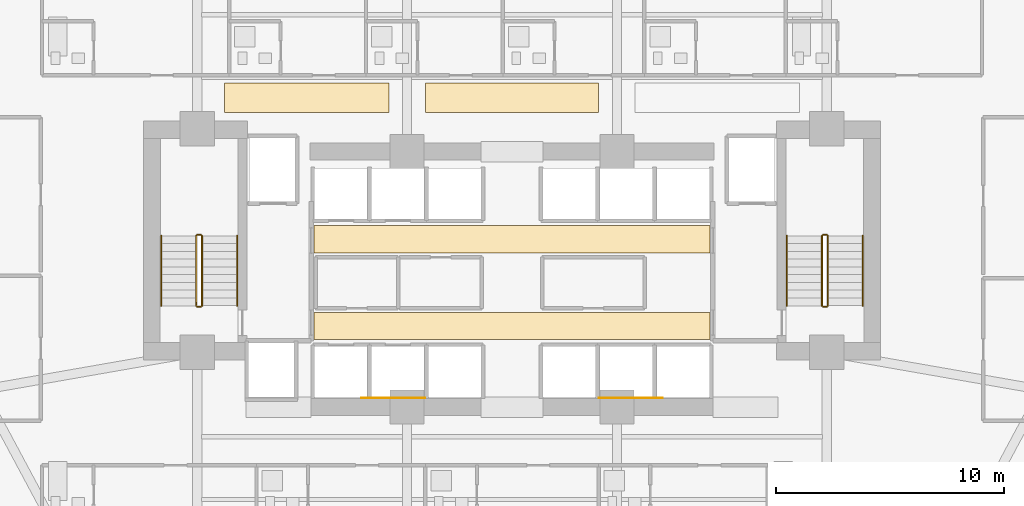
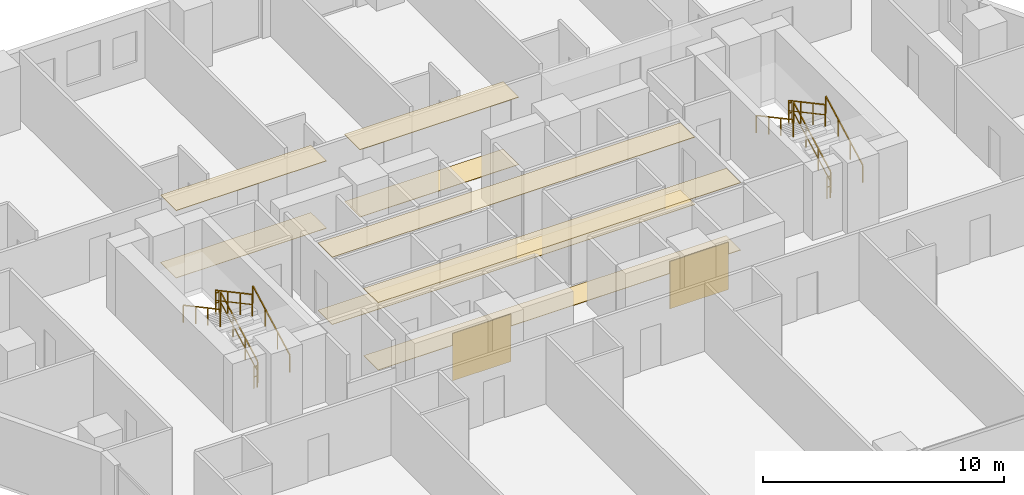
# One storey, part 27 of 29: 12 railings, 10 coverings.
"""IFC4 building model written with IfcOpenShell, lengths in metres."""

import ifcopenshell
import ifcopenshell.guid

model = None  # the IFC model being written
_history = None  # IfcOwnerHistory: only IFC2X3 demands one
_inside = {}  # id of a spatial element -> (the spatial element, [elements in it])
_under = {}  # id of a project, library or spatial element -> (it, [spatial elements below it])
_declared = {}  # id of a project -> (the project, [libraries it declares])
_typed = {}  # id of a type object -> (the type object, [elements of that type])
_made_of = {}  # id of a material, layer set ... -> (it, [elements and type objects made of it])


def new_model(schema):
    """Start an empty IFC model of exactly this schema.

    Asked for "IFC4X3", IfcOpenShell would pick the latest addendum, in which some entities
    have other attributes; the version numbers below select the first issue.
    IFC2X3 requires an IfcOwnerHistory on every rooted entity: one is made here for all.
    """
    global model, _history
    if schema == "IFC4X3":
        model = ifcopenshell.file(schema_version=(4, 3, 0, 0))
    else:
        model = ifcopenshell.file(schema=schema)
    _inside.clear()
    _under.clear()
    _declared.clear()
    _typed.clear()
    _made_of.clear()
    _history = None
    if model.schema == "IFC2X3":
        org = make("IfcOrganization", Name="unknown")
        user = make(
            "IfcPersonAndOrganization",
            ThePerson=make("IfcPerson", FamilyName="unknown"),
            TheOrganization=org,
        )
        app = make(
            "IfcApplication",
            ApplicationDeveloper=org,
            Version="unknown",
            ApplicationFullName="unknown",
            ApplicationIdentifier="unknown",
        )
        _history = make(
            "IfcOwnerHistory",
            OwningUser=user,
            OwningApplication=app,
            ChangeAction="ADDED",
            CreationDate=0,
        )
    return model


def make(cls, **values):
    """One entity of the class cls with the attributes given. An attribute that is None is left unset."""
    return model.create_entity(
        cls, **{name: value for name, value in values.items() if value is not None}
    )


def rooted(cls, **values):
    """An entity with a GlobalId (a new one), such as an element, a storey or a relation."""
    return make(cls, GlobalId=ifcopenshell.guid.new(), OwnerHistory=_history, **values)


def si_unit(unit_type, name, prefix=None):
    """IfcSIUnit, for example si_unit("LENGTHUNIT", "METRE", prefix="MILLI")."""
    return make("IfcSIUnit", UnitType=unit_type, Prefix=prefix, Name=name)


def assignment(units):
    """IfcUnitAssignment: the units of a project."""
    return None if units is None else make("IfcUnitAssignment", Units=units)


def point(xyz):
    """IfcCartesianPoint."""
    return None if xyz is None else make("IfcCartesianPoint", Coordinates=xyz)


def direction(xyz):
    """IfcDirection."""
    return None if xyz is None else make("IfcDirection", DirectionRatios=xyz)


def frame(location, z_axis=None, x_axis=None):
    """IfcAxis2Placement3D, a coordinate frame: its origin and axes. An axis left out is left unset."""
    return make(
        "IfcAxis2Placement3D",
        Location=point(location),
        Axis=direction(z_axis),
        RefDirection=direction(x_axis),
    )


def frame_2d(location, x_axis=None):
    """IfcAxis2Placement2D, a coordinate frame in the plane: its origin and x axis."""
    return make(
        "IfcAxis2Placement2D", Location=point(location), RefDirection=direction(x_axis)
    )


def origin():
    """The frame at (0, 0, 0) with its axes left unset."""
    return frame((0.0, 0.0, 0.0))


def origin_2d():
    """The frame at (0, 0) in the plane with its x axis left unset."""
    return frame_2d((0.0, 0.0))


def place(relative_to, where):
    """IfcLocalPlacement: puts the frame where relative to a parent placement (None: the world)."""
    return make(
        "IfcLocalPlacement", PlacementRelTo=relative_to, RelativePlacement=where
    )


def context(
    kind, dimensions, precision=None, world=None, true_north=None, identifier=None
):
    """IfcGeometricRepresentationContext, for example the 3D "Model" context."""
    return make(
        "IfcGeometricRepresentationContext",
        ContextIdentifier=identifier,
        ContextType=kind,
        CoordinateSpaceDimension=dimensions,
        Precision=precision,
        WorldCoordinateSystem=world,
        TrueNorth=true_north,
    )


def subcontext(parent, identifier, kind, view, scale=None):
    """IfcGeometricRepresentationSubContext, for example "Body" below "Model"."""
    return make(
        "IfcGeometricRepresentationSubContext",
        ContextIdentifier=identifier,
        ContextType=kind,
        ParentContext=parent,
        TargetScale=scale,
        TargetView=view,
    )


def project(units=None, contexts=None):
    """IfcProject with its units and contexts."""
    return rooted(
        "IfcProject",
        Name="project",
        RepresentationContexts=contexts,
        UnitsInContext=assignment(units),
    )


def spatial(cls, under=None, at=None, **own):
    """A site, building, storey or space (cls), placed at a placement, below another one or the project."""
    s = rooted(cls, ObjectPlacement=at, **own)
    if under is not None:
        _under.setdefault(under.id(), (under, []))[1].append(s)
    return s


def polyline(points):
    """IfcPolyline through the points."""
    return make("IfcPolyline", Points=[point(p) for p in points])


def profile(cls, at=None, kind="AREA", **sizes):
    """A parametric profile (cls). Its sizes go by their IFC names, for example OverallWidth=200.0."""
    return make(cls, ProfileType=kind, Position=at, **sizes)


def rectangle(**sizes):
    """IfcRectangleProfileDef."""
    return profile("IfcRectangleProfileDef", **sizes)


def outline(outer, holes=None, kind="AREA"):
    """IfcArbitraryClosedProfileDef: a profile drawn as a closed curve; with holes, ...WithVoids."""
    if holes is None:
        return make("IfcArbitraryClosedProfileDef", ProfileType=kind, OuterCurve=outer)
    return make(
        "IfcArbitraryProfileDefWithVoids",
        ProfileType=kind,
        OuterCurve=outer,
        InnerCurves=holes,
    )


def extrude(swept, where, along, depth):
    """IfcExtrudedAreaSolid: the profile swept, set in the frame where, extruded along a direction by depth."""
    return make(
        "IfcExtrudedAreaSolid",
        SweptArea=swept,
        Position=where,
        ExtrudedDirection=direction(along),
        Depth=depth,
    )


def shape(context_of_items, identifier, shape_type, items):
    """IfcShapeRepresentation: the items that make up one representation, for example the "Body"."""
    return make(
        "IfcShapeRepresentation",
        ContextOfItems=context_of_items,
        RepresentationIdentifier=identifier,
        RepresentationType=shape_type,
        Items=items,
    )


def material(Name=None, Category=None):
    """IfcMaterial."""
    return make("IfcMaterial", Name=Name, Category=Category)


def layer(
    of_material, thickness, ventilated=None, Name=None, Category=None, Priority=None
):
    """IfcMaterialLayer: one layer of a wall or slab, of a material (None: an air gap)."""
    return make(
        "IfcMaterialLayer",
        Material=of_material,
        LayerThickness=thickness,
        IsVentilated=ventilated,
        Name=Name,
        Category=Category,
        Priority=Priority,
    )


def layer_set(layers, Name=None):
    """IfcMaterialLayerSet."""
    return make("IfcMaterialLayerSet", MaterialLayers=layers, LayerSetName=Name)


def made_of(thing, what):
    """Note that an element or type object is made of a material, layer set ...; save() writes the relation."""
    if what is not None:
        _made_of.setdefault(what.id(), (what, []))[1].append(thing)
    return thing


def type_object(cls, material=None, **own):
    """A type object (cls), such as IfcWallType, which elements share."""
    return made_of(rooted(cls, **own), material)


def element(
    cls,
    number,
    at=None,
    inside=None,
    cuts=None,
    type_object=None,
    material=None,
    context=None,
    identifier="Body",
    shape_type=None,
    held_by="IfcProductDefinitionShape",
    body=None,
    shapes=None,
    **own,
):
    """One element of the class cls, such as IfcWall. Its Tag is "e" and its number.

    at: its placement. inside: the storey or other place that contains it. cuts: it is an
    opening in that element (IfcRelVoidsElement). A single representation is given by context,
    identifier, shape_type and body (its items); several are given by shapes. held_by: the class
    of the entity that holds the representations. save() writes the other relations.
    """
    e = rooted(cls, Tag="e%d" % number, ObjectPlacement=at, **own)
    if body is not None:
        shapes = [shape(context, identifier, shape_type, body)]
    if shapes is not None:
        e.Representation = make(held_by, Representations=shapes)
    if inside is not None:
        _inside.setdefault(inside.id(), (inside, []))[1].append(e)
    if cuts is not None:
        rooted(
            "IfcRelVoidsElement", RelatingBuildingElement=cuts, RelatedOpeningElement=e
        )
    if type_object is not None:
        _typed.setdefault(type_object.id(), (type_object, []))[1].append(e)
    return made_of(e, material)


def aggregate(whole, parts):
    """IfcRelAggregates: a whole, such as a stair, and the parts it consists of."""
    return rooted("IfcRelAggregates", RelatingObject=whole, RelatedObjects=parts)


def save(model, path):
    """Write the relations noted so far, then the file.

    IfcRelAggregates (storeys below a building ...), IfcRelContainedInSpatialStructure (elements
    in a storey), IfcRelDefinesByType, IfcRelAssociatesMaterial and IfcRelDeclares: one each for
    every whole, place, type object, material and project.
    """
    for whole, parts in _under.values():
        aggregate(whole, parts)
    for where, things in _inside.values():
        rooted(
            "IfcRelContainedInSpatialStructure",
            RelatedElements=things,
            RelatingStructure=where,
        )
    for kind, things in _typed.values():
        rooted("IfcRelDefinesByType", RelatedObjects=things, RelatingType=kind)
    for what, things in _made_of.values():
        rooted("IfcRelAssociatesMaterial", RelatedObjects=things, RelatingMaterial=what)
    for by, libraries in _declared.values():
        rooted("IfcRelDeclares", RelatingContext=by, RelatedDefinitions=libraries)
    model.write(path)


model = new_model("IFC4")

# Units and contexts
model_context = context("Model", 3, precision=1e-05, world=origin(), true_north=direction((0.0, 1.0)))
body_context = subcontext(model_context, "Body", "Model", "MODEL_VIEW")
ifc_project = project(units=[si_unit("LENGTHUNIT", "METRE"), si_unit("AREAUNIT", "SQUARE_METRE"), si_unit("VOLUMEUNIT", "CUBIC_METRE"), si_unit("PLANEANGLEUNIT", "RADIAN"), si_unit("MASSUNIT", "GRAM", prefix="KILO")], contexts=[model_context])

# Site, building, storey
site_placement = place(None, origin())
site = spatial("IfcSite", under=ifc_project, at=site_placement, CompositionType="ELEMENT")
building_placement = place(site_placement, origin())
building = spatial("IfcBuilding", under=site, at=building_placement, Name="Zuhayl Quay Hotel", CompositionType="ELEMENT")
storey_placement = place(building_placement, frame((0.0, 0.0, 95.64990234375)))
storey = spatial("IfcBuildingStorey", under=building, at=storey_placement, Name="L23", CompositionType="ELEMENT", Elevation=95.64990234375)

# Coverings
ifc_material_1 = material(Name="Acoustic Mineral-Fibre Gypsum Board")
ifc_layer_1 = layer(ifc_material_1, 0.02490234375, Name="Acoustic Mineral-Fibre Gypsum Board")
ifc_layer_set_1 = layer_set([ifc_layer_1], Name="Acoustic Mineral-Fibre Gypsum Board")
covering_type_1 = type_object("IfcCoveringType", Name="CV_CEIL_ACOUSTIC", PredefinedType="CEILING", material=ifc_layer_set_1)
covering_1_placement = place(storey_placement, frame((0.0, 0.0, 3.405029296875)))
element("IfcCovering", 1, at=covering_1_placement, inside=storey, type_object=covering_type_1, Name="L23 Suspended Acoustic Lobby Ceiling S", PredefinedType="CEILING", context=body_context, shape_type="SweptSolid", body=[
    extrude(outline(polyline([(-8.679931640625, 5.10009765625), (8.679931640625, 5.10009765625), (8.679931640625, 6.300048828125), (-8.679931640625, 6.300048828125), (-8.679931640625, 5.10009765625)])), origin(), (0.0, 0.0, 1.0), 0.025146484375),
])
covering_2_placement = place(storey_placement, frame((0.0, 0.0, 3.405029296875)))
element("IfcCovering", 2, at=covering_2_placement, inside=storey, type_object=covering_type_1, Name="L23 Suspended Acoustic Lobby Ceiling N", PredefinedType="CEILING", context=body_context, shape_type="SweptSolid", body=[
    extrude(outline(polyline([(-8.679931640625, 8.89990234375), (8.679931640625, 8.89990234375), (8.679931640625, 10.10009765625), (-8.679931640625, 10.10009765625), (-8.679931640625, 8.89990234375)])), origin(), (0.0, 0.0, 1.0), 0.025146484375),
])
covering_3_placement = place(storey_placement, frame((0.0, 0.0, 3.405029296875)))
element("IfcCovering", 3, at=covering_3_placement, inside=storey, type_object=covering_type_1, Name="L23 Guest Corridor Acoustic Ceiling CW", PredefinedType="CEILING", context=body_context, shape_type="SweptSolid", body=[
    extrude(outline(polyline([(-12.60009765625, 15.050048828125), (-5.39990234375, 15.050048828125), (-5.39990234375, 16.35009765625), (-12.60009765625, 16.35009765625), (-12.60009765625, 15.050048828125)])), origin(), (0.0, 0.0, 1.0), 0.025146484375),
])
covering_4_placement = place(storey_placement, frame((0.0, 0.0, 3.405029296875)))
element("IfcCovering", 4, at=covering_4_placement, inside=storey, type_object=covering_type_1, Name="L23 Guest Corridor Acoustic Ceiling CC", PredefinedType="CEILING", context=body_context, shape_type="SweptSolid", body=[
    extrude(outline(polyline([(-3.800048828125, 15.050048828125), (3.800048828125, 15.050048828125), (3.800048828125, 16.35009765625), (-3.800048828125, 16.35009765625), (-3.800048828125, 15.050048828125)])), origin(), (0.0, 0.0, 1.0), 0.025146484375),
])
ifc_material_2 = material(Name="Polished Limestone Terrazzo", Category="masonry")
ifc_layer_2 = layer(ifc_material_2, 0.02001953125, Name="Polished Limestone Terrazzo", Category="masonry")
ifc_layer_set_2 = layer_set([ifc_layer_2], Name="Polished Limestone Terrazzo")
covering_type_2 = type_object("IfcCoveringType", Name="CV_FLOOR_TERRAZZO", PredefinedType="FLOORING", material=ifc_layer_set_2)
covering_5_placement = place(storey_placement, origin())
element("IfcCovering", 5, at=covering_5_placement, inside=storey, type_object=covering_type_2, Name="L23 Honed Limestone Terrazzo Lobby Flooring S", PredefinedType="FLOORING", context=body_context, shape_type="SweptSolid", body=[
    extrude(outline(polyline([(-8.679931640625, 5.10009765625), (8.679931640625, 5.10009765625), (8.679931640625, 6.300048828125), (-8.679931640625, 6.300048828125), (-8.679931640625, 5.10009765625)])), origin(), (0.0, 0.0, 1.0), 0.02001953125),
])
covering_6_placement = place(storey_placement, origin())
element("IfcCovering", 6, at=covering_6_placement, inside=storey, type_object=covering_type_2, Name="L23 Honed Limestone Terrazzo Lobby Flooring N", PredefinedType="FLOORING", context=body_context, shape_type="SweptSolid", body=[
    extrude(outline(polyline([(-8.679931640625, 8.89990234375), (8.679931640625, 8.89990234375), (8.679931640625, 10.10009765625), (-8.679931640625, 10.10009765625), (-8.679931640625, 8.89990234375)])), origin(), (0.0, 0.0, 1.0), 0.02001953125),
])
covering_7_placement = place(storey_placement, origin())
element("IfcCovering", 7, at=covering_7_placement, inside=storey, type_object=covering_type_2, Name="L23 Guest Corridor Terrazzo Runner CW", PredefinedType="FLOORING", context=body_context, shape_type="SweptSolid", body=[
    extrude(outline(polyline([(-12.60009765625, 15.050048828125), (-5.39990234375, 15.050048828125), (-5.39990234375, 16.35009765625), (-12.60009765625, 16.35009765625), (-12.60009765625, 15.050048828125)])), origin(), (0.0, 0.0, 1.0), 0.02001953125),
])
covering_8_placement = place(storey_placement, origin())
element("IfcCovering", 8, at=covering_8_placement, inside=storey, type_object=covering_type_2, Name="L23 Guest Corridor Terrazzo Runner CC", PredefinedType="FLOORING", context=body_context, shape_type="SweptSolid", body=[
    extrude(outline(polyline([(-3.800048828125, 15.050048828125), (3.800048828125, 15.050048828125), (3.800048828125, 16.35009765625), (-3.800048828125, 16.35009765625), (-3.800048828125, 15.050048828125)])), origin(), (0.0, 0.0, 1.0), 0.02001953125),
])
ifc_material_3 = material(Name="Acoustic Walnut Feature Timber", Category="wood")
ifc_layer_3 = layer(ifc_material_3, 0.02197265625, Name="Acoustic Walnut Feature Timber", Category="wood")
ifc_layer_set_3 = layer_set([ifc_layer_3], Name="Acoustic Walnut Feature Timber")
covering_type_3 = type_object("IfcCoveringType", Name="CV_WALL_CLAD", PredefinedType="CLADDING", material=ifc_layer_set_3)
for number, where, z_axis, x_axis, name in (
    (9, (-5.199951171875, 2.535888671875, 0.300048828125), (0.0, 0.0, 1.0), (1.0, 0.0, 0.0), "L23 Feature Lobby Walnut Wall Cladding W"),
    (10, (5.199951171875, 2.535888671875, 0.300048828125), (0.0, 0.0, 1.0), (1.0, 0.0, 0.0), "L23 Feature Lobby Walnut Wall Cladding E"),
):
    element("IfcCovering", number, at=place(storey_placement, frame(where, z_axis=z_axis, x_axis=x_axis)), inside=storey, type_object=covering_type_3, Name=name, PredefinedType="CLADDING", context=body_context, shape_type="SweptSolid", body=[
        extrude(rectangle(XDim=2.800048828125, YDim=0.02197265625, at=origin_2d()), origin(), (0.0, 0.0, 1.0), 2.39990234375),
    ])

# Railings
ifc_material_4 = material(Name="Steel ASTM A992 Grade 50", Category="steel")
railing_type_1 = type_object("IfcRailingType", Name="RL_GUARD_1100", PredefinedType="GUARDRAIL", material=ifc_material_4)
railing_1_placement = place(storey_placement, frame((-13.590087890625, 6.590087890625, 0.1826171875)))
element("IfcRailing", 11, at=railing_1_placement, inside=storey, type_object=railing_type_1, Name="L23 ST1 stair guard 1", PredefinedType="GUARDRAIL", context=body_context, shape_type="SweptSolid", body=[
    extrude(rectangle(XDim=0.048095703125, YDim=0.048095703125, at=origin_2d()), frame((0.0, 0.0, 1.09619140625), z_axis=(0.0, 0.88107310026, 0.472980117973), x_axis=(-1.0, 0.0, 0.0)), (0.0, 0.0, 1.0), 3.472900390625),
    extrude(rectangle(XDim=0.0361328125, YDim=0.0361328125, at=origin_2d()), frame((0.0, 0.0, 0.58251953125), z_axis=(0.0, 0.88107310026, 0.472980117973), x_axis=(-1.0, 0.0, 0.0)), (0.0, 0.0, 1.0), 3.472900390625),
    extrude(rectangle(XDim=0.0419921875, YDim=0.0419921875, at=origin_2d()), origin(), (0.0, 0.0, 1.0), 1.072021484375),
    extrude(rectangle(XDim=0.0419921875, YDim=0.0419921875, at=origin_2d()), frame((0.0, 1.02001953125, 0.547607421875)), (0.0, 0.0, 1.0), 1.072021484375),
    extrude(rectangle(XDim=0.0419921875, YDim=0.0419921875, at=origin_2d()), frame((0.0, 2.039794921875, 1.094970703125)), (0.0, 0.0, 1.0), 1.072021484375),
    extrude(rectangle(XDim=0.0419921875, YDim=0.0419921875, at=origin_2d()), frame((0.0, 3.059814453125, 1.642578125)), (0.0, 0.0, 1.0), 1.072021484375),
])
railing_2_placement = place(storey_placement, frame((-13.639892578125, 9.699951171875, 1.8251953125)))
element("IfcRailing", 12, at=railing_2_placement, inside=storey, type_object=railing_type_1, Name="L23 ST1 stair guard 2", PredefinedType="GUARDRAIL", context=body_context, shape_type="SweptSolid", body=[
    extrude(rectangle(XDim=0.048095703125, YDim=0.048095703125, at=origin_2d()), frame((0.0, 0.0, 1.09619140625), z_axis=(-1.0, 0.0, 0.0), x_axis=(0.0, -1.0, 0.0)), (0.0, 0.0, 1.0), 0.150146484375),
    extrude(rectangle(XDim=0.0361328125, YDim=0.0361328125, at=origin_2d()), frame((0.0, 0.0, 0.58251953125), z_axis=(-1.0, 0.0, 0.0), x_axis=(0.0, -1.0, 0.0)), (0.0, 0.0, 1.0), 0.150146484375),
    extrude(rectangle(XDim=0.0419921875, YDim=0.0419921875, at=origin_2d()), origin(), (0.0, 0.0, 1.0), 1.072021484375),
    extrude(rectangle(XDim=0.0419921875, YDim=0.0419921875, at=origin_2d()), frame((-0.150146484375, 0.0, 0.0)), (0.0, 0.0, 1.0), 1.072021484375),
])
railing_3_placement = place(storey_placement, frame((-13.840087890625, 9.64990234375, 2.007568359375)))
element("IfcRailing", 13, at=railing_3_placement, inside=storey, type_object=railing_type_1, Name="L23 ST1 stair guard 3", PredefinedType="GUARDRAIL", context=body_context, shape_type="SweptSolid", body=[
    extrude(rectangle(XDim=0.048095703125, YDim=0.048095703125, at=origin_2d()), frame((0.0, 0.0, 1.09619140625), z_axis=(0.0, -0.88107310026, 0.472980117973), x_axis=(1.0, 0.0, 0.0)), (0.0, 0.0, 1.0), 3.472900390625),
    extrude(rectangle(XDim=0.0361328125, YDim=0.0361328125, at=origin_2d()), frame((0.0, 0.0, 0.58251953125), z_axis=(0.0, -0.88107310026, 0.472980117973), x_axis=(1.0, 0.0, 0.0)), (0.0, 0.0, 1.0), 3.472900390625),
    extrude(rectangle(XDim=0.0419921875, YDim=0.0419921875, at=origin_2d()), origin(), (0.0, 0.0, 1.0), 1.072021484375),
    extrude(rectangle(XDim=0.0419921875, YDim=0.0419921875, at=origin_2d()), frame((0.0, -1.02001953125, 0.547607421875)), (0.0, 0.0, 1.0), 1.072021484375),
    extrude(rectangle(XDim=0.0419921875, YDim=0.0419921875, at=origin_2d()), frame((0.0, -2.039794921875, 1.094970703125)), (0.0, 0.0, 1.0), 1.072021484375),
    extrude(rectangle(XDim=0.0419921875, YDim=0.0419921875, at=origin_2d()), frame((0.0, -3.059814453125, 1.642578125)), (0.0, 0.0, 1.0), 1.072021484375),
])
railing_4_placement = place(storey_placement, frame((-13.639892578125, 6.5400390625, 0.0)))
element("IfcRailing", 14, at=railing_4_placement, inside=storey, type_object=railing_type_1, Name="L23 ST1 stair guard 4", PredefinedType="GUARDRAIL", context=body_context, shape_type="SweptSolid", body=[
    extrude(rectangle(XDim=0.048095703125, YDim=0.048095703125, at=origin_2d()), frame((0.0, 0.0, 1.09619140625), z_axis=(-1.0, 0.0, 0.0), x_axis=(0.0, -1.0, 0.0)), (0.0, 0.0, 1.0), 0.150146484375),
    extrude(rectangle(XDim=0.0361328125, YDim=0.0361328125, at=origin_2d()), frame((0.0, 0.0, 0.58251953125), z_axis=(-1.0, 0.0, 0.0), x_axis=(0.0, -1.0, 0.0)), (0.0, 0.0, 1.0), 0.150146484375),
    extrude(rectangle(XDim=0.0419921875, YDim=0.0419921875, at=origin_2d()), origin(), (0.0, 0.0, 1.0), 1.072021484375),
    extrude(rectangle(XDim=0.0419921875, YDim=0.0419921875, at=origin_2d()), frame((-0.150146484375, 0.0, 0.0)), (0.0, 0.0, 1.0), 1.072021484375),
])
railing_5_placement = place(storey_placement, frame((13.840087890625, 6.590087890625, 0.1826171875)))
element("IfcRailing", 15, at=railing_5_placement, inside=storey, type_object=railing_type_1, Name="L23 ST2 stair guard 1", PredefinedType="GUARDRAIL", context=body_context, shape_type="SweptSolid", body=[
    extrude(rectangle(XDim=0.048095703125, YDim=0.048095703125, at=origin_2d()), frame((0.0, 0.0, 1.09619140625), z_axis=(0.0, 0.88107310026, 0.472980117973), x_axis=(-1.0, 0.0, 0.0)), (0.0, 0.0, 1.0), 3.472900390625),
    extrude(rectangle(XDim=0.0361328125, YDim=0.0361328125, at=origin_2d()), frame((0.0, 0.0, 0.58251953125), z_axis=(0.0, 0.88107310026, 0.472980117973), x_axis=(-1.0, 0.0, 0.0)), (0.0, 0.0, 1.0), 3.472900390625),
    extrude(rectangle(XDim=0.0419921875, YDim=0.0419921875, at=origin_2d()), origin(), (0.0, 0.0, 1.0), 1.072021484375),
    extrude(rectangle(XDim=0.0419921875, YDim=0.0419921875, at=origin_2d()), frame((0.0, 1.02001953125, 0.547607421875)), (0.0, 0.0, 1.0), 1.072021484375),
    extrude(rectangle(XDim=0.0419921875, YDim=0.0419921875, at=origin_2d()), frame((0.0, 2.039794921875, 1.094970703125)), (0.0, 0.0, 1.0), 1.072021484375),
    extrude(rectangle(XDim=0.0419921875, YDim=0.0419921875, at=origin_2d()), frame((0.0, 3.059814453125, 1.642578125)), (0.0, 0.0, 1.0), 1.072021484375),
])
railing_6_placement = place(storey_placement, frame((13.7900390625, 9.699951171875, 1.8251953125)))
element("IfcRailing", 16, at=railing_6_placement, inside=storey, type_object=railing_type_1, Name="L23 ST2 stair guard 2", PredefinedType="GUARDRAIL", context=body_context, shape_type="SweptSolid", body=[
    extrude(rectangle(XDim=0.048095703125, YDim=0.048095703125, at=origin_2d()), frame((0.0, 0.0, 1.09619140625), z_axis=(-1.0, 0.0, 0.0), x_axis=(0.0, -1.0, 0.0)), (0.0, 0.0, 1.0), 0.150146484375),
    extrude(rectangle(XDim=0.0361328125, YDim=0.0361328125, at=origin_2d()), frame((0.0, 0.0, 0.58251953125), z_axis=(-1.0, 0.0, 0.0), x_axis=(0.0, -1.0, 0.0)), (0.0, 0.0, 1.0), 0.150146484375),
    extrude(rectangle(XDim=0.0419921875, YDim=0.0419921875, at=origin_2d()), origin(), (0.0, 0.0, 1.0), 1.072021484375),
    extrude(rectangle(XDim=0.0419921875, YDim=0.0419921875, at=origin_2d()), frame((-0.150146484375, 0.0, 0.0)), (0.0, 0.0, 1.0), 1.072021484375),
])
railing_7_placement = place(storey_placement, frame((13.590087890625, 9.64990234375, 2.007568359375)))
element("IfcRailing", 17, at=railing_7_placement, inside=storey, type_object=railing_type_1, Name="L23 ST2 stair guard 3", PredefinedType="GUARDRAIL", context=body_context, shape_type="SweptSolid", body=[
    extrude(rectangle(XDim=0.048095703125, YDim=0.048095703125, at=origin_2d()), frame((0.0, 0.0, 1.09619140625), z_axis=(0.0, -0.88107310026, 0.472980117973), x_axis=(1.0, 0.0, 0.0)), (0.0, 0.0, 1.0), 3.472900390625),
    extrude(rectangle(XDim=0.0361328125, YDim=0.0361328125, at=origin_2d()), frame((0.0, 0.0, 0.58251953125), z_axis=(0.0, -0.88107310026, 0.472980117973), x_axis=(1.0, 0.0, 0.0)), (0.0, 0.0, 1.0), 3.472900390625),
    extrude(rectangle(XDim=0.0419921875, YDim=0.0419921875, at=origin_2d()), origin(), (0.0, 0.0, 1.0), 1.072021484375),
    extrude(rectangle(XDim=0.0419921875, YDim=0.0419921875, at=origin_2d()), frame((0.0, -1.02001953125, 0.547607421875)), (0.0, 0.0, 1.0), 1.072021484375),
    extrude(rectangle(XDim=0.0419921875, YDim=0.0419921875, at=origin_2d()), frame((0.0, -2.039794921875, 1.094970703125)), (0.0, 0.0, 1.0), 1.072021484375),
    extrude(rectangle(XDim=0.0419921875, YDim=0.0419921875, at=origin_2d()), frame((0.0, -3.059814453125, 1.642578125)), (0.0, 0.0, 1.0), 1.072021484375),
])
railing_8_placement = place(storey_placement, frame((13.7900390625, 6.5400390625, 0.0)))
element("IfcRailing", 18, at=railing_8_placement, inside=storey, type_object=railing_type_1, Name="L23 ST2 stair guard 4", PredefinedType="GUARDRAIL", context=body_context, shape_type="SweptSolid", body=[
    extrude(rectangle(XDim=0.048095703125, YDim=0.048095703125, at=origin_2d()), frame((0.0, 0.0, 1.09619140625), z_axis=(-1.0, 0.0, 0.0), x_axis=(0.0, -1.0, 0.0)), (0.0, 0.0, 1.0), 0.150146484375),
    extrude(rectangle(XDim=0.0361328125, YDim=0.0361328125, at=origin_2d()), frame((0.0, 0.0, 0.58251953125), z_axis=(-1.0, 0.0, 0.0), x_axis=(0.0, -1.0, 0.0)), (0.0, 0.0, 1.0), 0.150146484375),
    extrude(rectangle(XDim=0.0419921875, YDim=0.0419921875, at=origin_2d()), origin(), (0.0, 0.0, 1.0), 1.072021484375),
    extrude(rectangle(XDim=0.0419921875, YDim=0.0419921875, at=origin_2d()), frame((-0.150146484375, 0.0, 0.0)), (0.0, 0.0, 1.0), 1.072021484375),
])
railing_type_2 = type_object("IfcRailingType", Name="RL_HANDRAIL_920", PredefinedType="HANDRAIL", material=ifc_material_4)
railing_9_placement = place(storey_placement, frame((-12.050048828125, 6.590087890625, 0.1826171875)))
element("IfcRailing", 19, at=railing_9_placement, inside=storey, type_object=railing_type_2, Name="L23 ST1 stair handrail 1", PredefinedType="HANDRAIL", context=body_context, shape_type="SweptSolid", body=[
    extrude(rectangle(XDim=0.048095703125, YDim=0.048095703125, at=origin_2d()), frame((0.0, 0.0, 0.8759765625), z_axis=(0.0, 0.88107310026, 0.472980117973), x_axis=(-1.0, 0.0, 0.0)), (0.0, 0.0, 1.0), 3.472900390625),
    extrude(rectangle(XDim=0.0419921875, YDim=0.0419921875, at=origin_2d()), origin(), (0.0, 0.0, 1.0), 0.851806640625),
    extrude(rectangle(XDim=0.0419921875, YDim=0.0419921875, at=origin_2d()), frame((0.0, 1.02001953125, 0.547607421875)), (0.0, 0.0, 1.0), 0.851806640625),
    extrude(rectangle(XDim=0.0419921875, YDim=0.0419921875, at=origin_2d()), frame((0.0, 2.039794921875, 1.094970703125)), (0.0, 0.0, 1.0), 0.851806640625),
    extrude(rectangle(XDim=0.0419921875, YDim=0.0419921875, at=origin_2d()), frame((0.0, 3.059814453125, 1.642578125)), (0.0, 0.0, 1.0), 0.851806640625),
])
railing_10_placement = place(storey_placement, frame((-15.3798828125, 9.64990234375, 2.007568359375)))
element("IfcRailing", 20, at=railing_10_placement, inside=storey, type_object=railing_type_2, Name="L23 ST1 stair handrail 2", PredefinedType="HANDRAIL", context=body_context, shape_type="SweptSolid", body=[
    extrude(rectangle(XDim=0.048095703125, YDim=0.048095703125, at=origin_2d()), frame((0.0, 0.0, 0.8759765625), z_axis=(0.0, -0.88107310026, 0.472980117973), x_axis=(1.0, 0.0, 0.0)), (0.0, 0.0, 1.0), 3.472900390625),
    extrude(rectangle(XDim=0.0419921875, YDim=0.0419921875, at=origin_2d()), origin(), (0.0, 0.0, 1.0), 0.851806640625),
    extrude(rectangle(XDim=0.0419921875, YDim=0.0419921875, at=origin_2d()), frame((0.0, -1.02001953125, 0.547607421875)), (0.0, 0.0, 1.0), 0.851806640625),
    extrude(rectangle(XDim=0.0419921875, YDim=0.0419921875, at=origin_2d()), frame((0.0, -2.039794921875, 1.094970703125)), (0.0, 0.0, 1.0), 0.851806640625),
    extrude(rectangle(XDim=0.0419921875, YDim=0.0419921875, at=origin_2d()), frame((0.0, -3.059814453125, 1.642578125)), (0.0, 0.0, 1.0), 0.851806640625),
])
railing_11_placement = place(storey_placement, frame((15.3798828125, 6.590087890625, 0.1826171875)))
element("IfcRailing", 21, at=railing_11_placement, inside=storey, type_object=railing_type_2, Name="L23 ST2 stair handrail 1", PredefinedType="HANDRAIL", context=body_context, shape_type="SweptSolid", body=[
    extrude(rectangle(XDim=0.048095703125, YDim=0.048095703125, at=origin_2d()), frame((0.0, 0.0, 0.8759765625), z_axis=(0.0, 0.88107310026, 0.472980117973), x_axis=(-1.0, 0.0, 0.0)), (0.0, 0.0, 1.0), 3.472900390625),
    extrude(rectangle(XDim=0.0419921875, YDim=0.0419921875, at=origin_2d()), origin(), (0.0, 0.0, 1.0), 0.851806640625),
    extrude(rectangle(XDim=0.0419921875, YDim=0.0419921875, at=origin_2d()), frame((0.0, 1.02001953125, 0.547607421875)), (0.0, 0.0, 1.0), 0.851806640625),
    extrude(rectangle(XDim=0.0419921875, YDim=0.0419921875, at=origin_2d()), frame((0.0, 2.039794921875, 1.094970703125)), (0.0, 0.0, 1.0), 0.851806640625),
    extrude(rectangle(XDim=0.0419921875, YDim=0.0419921875, at=origin_2d()), frame((0.0, 3.059814453125, 1.642578125)), (0.0, 0.0, 1.0), 0.851806640625),
])
railing_12_placement = place(storey_placement, frame((12.050048828125, 9.64990234375, 2.007568359375)))
element("IfcRailing", 22, at=railing_12_placement, inside=storey, type_object=railing_type_2, Name="L23 ST2 stair handrail 2", PredefinedType="HANDRAIL", context=body_context, shape_type="SweptSolid", body=[
    extrude(rectangle(XDim=0.048095703125, YDim=0.048095703125, at=origin_2d()), frame((0.0, 0.0, 0.8759765625), z_axis=(0.0, -0.88107310026, 0.472980117973), x_axis=(1.0, 0.0, 0.0)), (0.0, 0.0, 1.0), 3.472900390625),
    extrude(rectangle(XDim=0.0419921875, YDim=0.0419921875, at=origin_2d()), origin(), (0.0, 0.0, 1.0), 0.851806640625),
    extrude(rectangle(XDim=0.0419921875, YDim=0.0419921875, at=origin_2d()), frame((0.0, -1.02001953125, 0.547607421875)), (0.0, 0.0, 1.0), 0.851806640625),
    extrude(rectangle(XDim=0.0419921875, YDim=0.0419921875, at=origin_2d()), frame((0.0, -2.039794921875, 1.094970703125)), (0.0, 0.0, 1.0), 0.851806640625),
    extrude(rectangle(XDim=0.0419921875, YDim=0.0419921875, at=origin_2d()), frame((0.0, -3.059814453125, 1.642578125)), (0.0, 0.0, 1.0), 0.851806640625),
])

save(model, "model.ifc")
